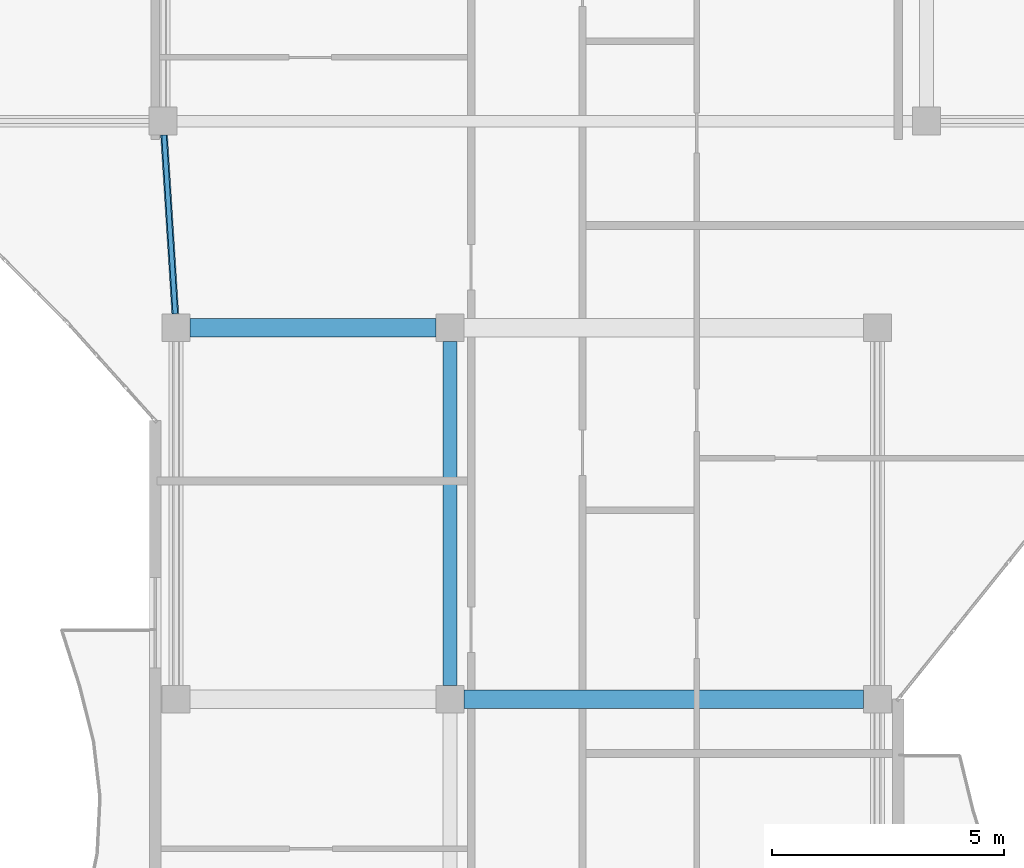
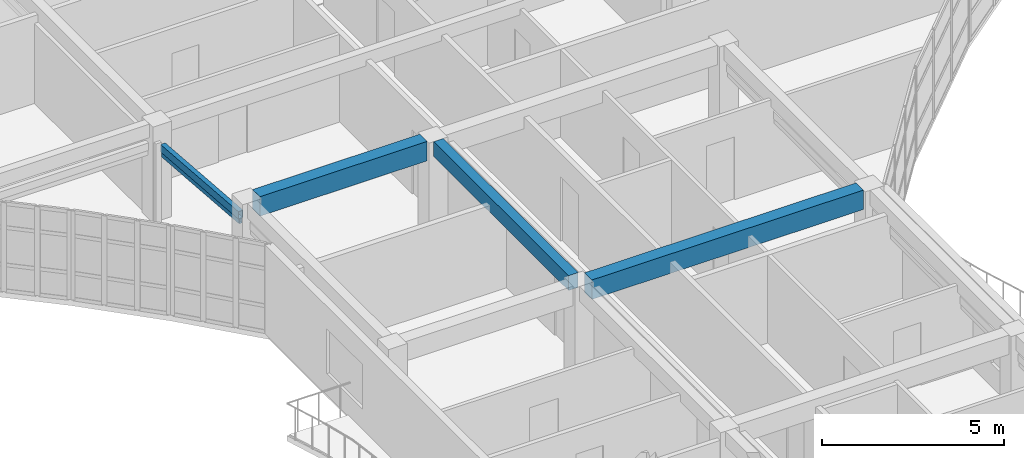
# One storey, part 5 of 71: 3 beams, 2 members.
"""IFC4 building model written with IfcOpenShell, lengths in metres."""

from ifc_helpers import new_model, si_unit, direction, frame, origin, origin_2d, place, context, subcontext, project, spatial, rectangle, hollow_rectangle, extrude, material, material_profile, profile_set, type_object, element, save


model = new_model("IFC4")

# Units and contexts
model_context = context("Model", 3, precision=1e-05, world=origin(), true_north=direction((0.0, 1.0)))
body_context = subcontext(model_context, "Body", "Model", "MODEL_VIEW")
ifc_project = project(units=[si_unit("LENGTHUNIT", "METRE"), si_unit("AREAUNIT", "SQUARE_METRE"), si_unit("VOLUMEUNIT", "CUBIC_METRE"), si_unit("PLANEANGLEUNIT", "RADIAN"), si_unit("MASSUNIT", "GRAM", prefix="KILO")], contexts=[model_context])

# Site, building, storey
site_placement = place(None, origin())
site = spatial("IfcSite", under=ifc_project, at=site_placement, CompositionType="ELEMENT")
building_placement = place(site_placement, origin())
building = spatial("IfcBuilding", under=site, at=building_placement, Name="Keldmere Railside Commons", CompositionType="ELEMENT")
storey_placement = place(building_placement, frame((0.0, 0.0, 20.159912109375)))
storey = spatial("IfcBuildingStorey", under=building, at=storey_placement, Name="L06", CompositionType="ELEMENT", Elevation=20.159912109375)

# Member
ifc_material_1 = material(Name="Steel F-36 (S355)", Category="steel")
ifc_material_profile_1 = material_profile(ifc_material_1, hollow_rectangle(XDim=0.14990234375, YDim=0.25, WallThickness=0.010009765625, at=origin_2d()), Name="RHS-250x150x10")
ifc_profile_set_1 = profile_set([ifc_material_profile_1], Name="Steel F-36 (S355)")
member_type_1 = type_object("IfcMemberType", Name="Balcony Continuous Planted Trough RHS250x150", PredefinedType="CHORD", material=ifc_profile_set_1)
member_1_placement = place(storey_placement, frame((48.43115234375, 96.29931640625, 2.4150390625), z_axis=(-0.06282335906, 0.998024661798, 0.0), x_axis=(-0.998024661798, -0.06282335906, 0.0)))
element("IfcMember", 1, at=member_1_placement, inside=storey, type_object=member_type_1, Name="PLT-1 MEM-BPLT-0709", PredefinedType="CHORD", context=body_context, shape_type="SweptSolid", body=[
    extrude(hollow_rectangle(XDim=0.14990234375, YDim=0.25, WallThickness=0.010009765625, at=origin_2d()), origin(), (0.0, 0.0, 1.0), 3.85888671875),
])

# Beams
ifc_material_2 = material(Name="Concrete H-30 (C30/37)", Category="concrete")
ifc_material_profile_2 = material_profile(ifc_material_2, rectangle(XDim=0.39990234375, YDim=0.64990234375, at=origin_2d()), Name="RC-400x650")
ifc_profile_set_2 = profile_set([ifc_material_profile_2], Name="Concrete H-30 (C30/37)")
beam_type_1 = type_object("IfcBeamType", Name="Residential Spine RC Girder 400x650", PredefinedType="BEAM", material=ifc_profile_set_2)
beam_1_placement = place(storey_placement, frame((54.64990234375, 88.0, 2.875), z_axis=(1.0, 0.0, 0.0), x_axis=(0.0, 1.0, 0.0)))
element("IfcBeam", 2, at=beam_1_placement, inside=storey, type_object=beam_type_1, Name="BG-3 BM-L06-1884", PredefinedType="BEAM", context=body_context, shape_type="SweptSolid", body=[
    extrude(rectangle(XDim=0.39990234375, YDim=0.64990234375, at=origin_2d()), origin(), (0.0, 0.0, 1.0), 8.60009765625),
])
beam_2_placement = place(storey_placement, frame((48.75, 96.0, 2.875), z_axis=(1.0, 0.0, 0.0), x_axis=(0.0, 1.0, 0.0)))
element("IfcBeam", 3, at=beam_2_placement, inside=storey, type_object=beam_type_1, Name="BG-3 BM-L06-1891", PredefinedType="BEAM", context=body_context, shape_type="SweptSolid", body=[
    extrude(rectangle(XDim=0.39990234375, YDim=0.64990234375, at=origin_2d()), origin(), (0.0, 0.0, 1.0), 5.300048828125),
])
ifc_material_profile_3 = material_profile(ifc_material_2, rectangle(XDim=0.300048828125, YDim=0.5, at=origin_2d()), Name="RC-300x500")
ifc_profile_set_3 = profile_set([ifc_material_profile_3], Name="Concrete H-30 (C30/37)")
beam_type_2 = type_object("IfcBeamType", Name="Secondary Frame RC Beam 300x500", PredefinedType="BEAM", material=ifc_profile_set_3)
beam_3_placement = place(storey_placement, frame((54.35009765625, 88.300048828125, 2.9501953125), z_axis=(0.0, 1.0, 0.0), x_axis=(-1.0, 0.0, 0.0)))
element("IfcBeam", 4, at=beam_3_placement, inside=storey, type_object=beam_type_2, Name="BG-5 BM-L06-1962", PredefinedType="BEAM", context=body_context, shape_type="SweptSolid", body=[
    extrude(rectangle(XDim=0.300048828125, YDim=0.5, at=origin_2d()), origin(), (0.0, 0.0, 1.0), 7.39990234375),
])

# Member
ifc_material_profile_4 = material_profile(ifc_material_1, hollow_rectangle(XDim=0.10009765625, YDim=0.159912109375, WallThickness=0.008056640625, at=origin_2d()), Name="RHS-160x100x8")
ifc_profile_set_4 = profile_set([ifc_material_profile_4], Name="Steel F-36 (S355)")
member_type_2 = type_object("IfcMemberType", Name="Solar Brise-Soleil Louvre Fin RHS160x100", PredefinedType="STRUT", material=ifc_profile_set_4)
member_2_placement = place(storey_placement, frame((48.43115234375, 96.29931640625, 2.2001953125), z_axis=(-0.06282335906, 0.998024661798, 0.0), x_axis=(-0.998024661798, -0.06282335906, 0.0)))
element("IfcMember", 5, at=member_2_placement, inside=storey, type_object=member_type_2, Name="BSF-1 MEM-BSF-0710", PredefinedType="STRUT", context=body_context, shape_type="SweptSolid", body=[
    extrude(hollow_rectangle(XDim=0.10009765625, YDim=0.159912109375, WallThickness=0.008056640625, at=origin_2d()), origin(), (0.0, 0.0, 1.0), 3.85888671875),
])

save(model, "model.ifc")
